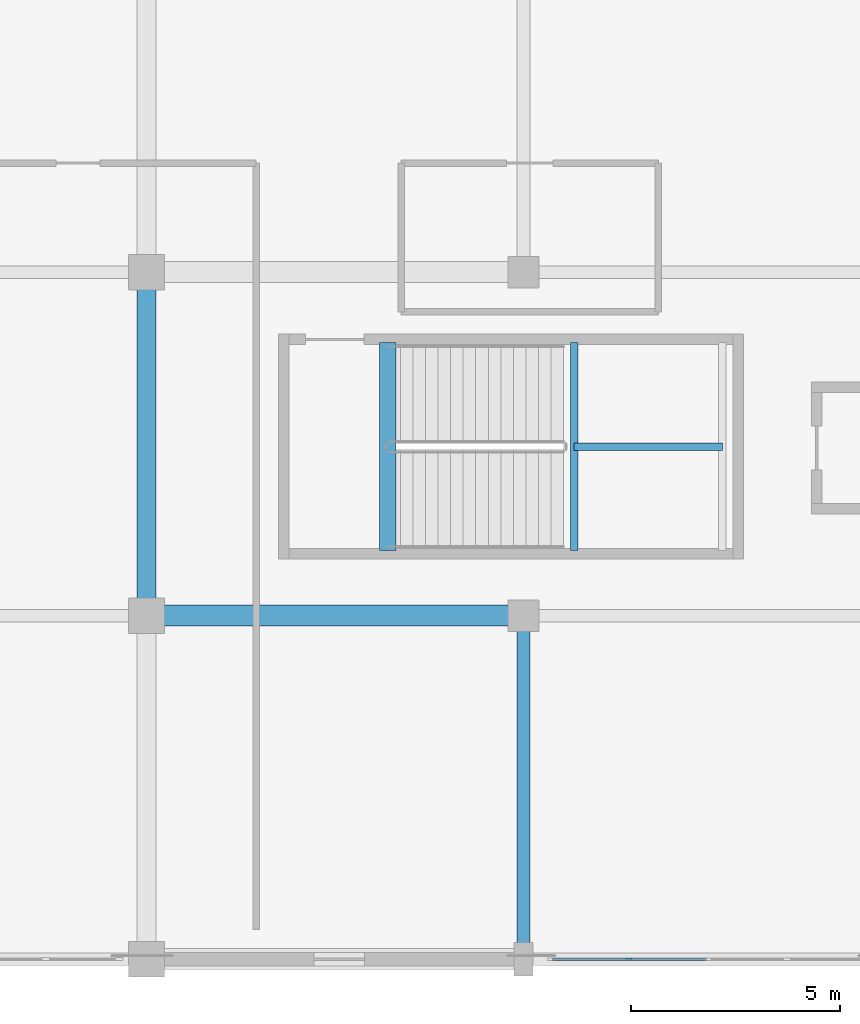
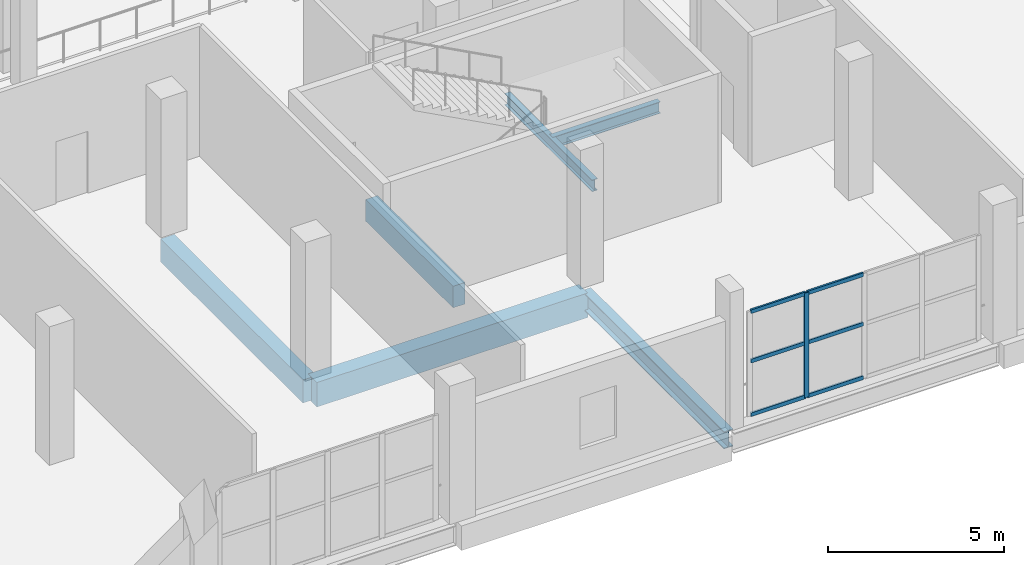
# One storey, part 16 of 129: 7 members, 6 beams, 1 element without a shape of its own.
"""IFC4 building model written with IfcOpenShell, lengths in metres."""

from ifc_helpers import new_model, si_unit, direction, frame, origin, origin_2d, place, context, subcontext, project, spatial, rectangle, i_section, extrude, material, material_profile, profile_set, type_object, element, aggregate, save


model = new_model("IFC4")

# Units and contexts
model_context = context("Model", 3, precision=1e-05, world=origin(), true_north=direction((0.0, 1.0)))
body_context = subcontext(model_context, "Body", "Model", "MODEL_VIEW")
ifc_project = project(units=[si_unit("LENGTHUNIT", "METRE"), si_unit("AREAUNIT", "SQUARE_METRE"), si_unit("VOLUMEUNIT", "CUBIC_METRE"), si_unit("PLANEANGLEUNIT", "RADIAN"), si_unit("MASSUNIT", "GRAM", prefix="KILO")], contexts=[model_context])

# Site, building, storey
site_placement = place(None, origin())
site = spatial("IfcSite", under=ifc_project, at=site_placement, CompositionType="ELEMENT")
building_placement = place(site_placement, origin())
building = spatial("IfcBuilding", under=site, at=building_placement, Name="Koshinbarg Plaza Stadium", CompositionType="ELEMENT")
storey_placement = place(building_placement, frame((0.0, 0.0, 5.39990234375)))
storey = spatial("IfcBuildingStorey", under=building, at=storey_placement, Name="L01", CompositionType="ELEMENT", Elevation=5.39990234375)

# Beams
ifc_material_1 = material(Name="Concrete C40/50", Category="concrete")
ifc_material_profile_1 = material_profile(ifc_material_1, rectangle(XDim=0.39990234375, YDim=0.75, at=origin_2d()), Name="RC 400x750")
ifc_profile_set_1 = profile_set([ifc_material_profile_1], Name="Concrete C40/50")
beam_type_1 = type_object("IfcBeamType", Name="BM-RCG-03", PredefinedType="USERDEFINED", material=ifc_profile_set_1)
beam_1_placement = place(storey_placement, frame((60.360107421875, 9.75, -0.375), z_axis=(0.0, 1.0, 0.0), x_axis=(-1.0, 0.0, 0.0)))
element("IfcBeam", 1, at=beam_1_placement, inside=storey, type_object=beam_type_1, Name="L01 stair landing header beam C13", ObjectType="GIRDER", PredefinedType="USERDEFINED", context=body_context, shape_type="SweptSolid", body=[
    extrude(rectangle(XDim=0.39990234375, YDim=0.75, at=origin_2d()), origin(), (0.0, 0.0, 1.0), 4.969970703125),
])
ifc_material_profile_2 = material_profile(ifc_material_1, rectangle(XDim=0.449951171875, YDim=0.800048828125, at=origin_2d()), Name="RC 450x800")
ifc_profile_set_2 = profile_set([ifc_material_profile_2], Name="Concrete C40/50")
beam_type_2 = type_object("IfcBeamType", Name="BM-RCG-04", PredefinedType="USERDEFINED", material=ifc_profile_set_2)
beam_2_placement = place(storey_placement, frame((54.60009765625, 8.260009765625, -0.719970703125), z_axis=(0.0, 1.0, 0.0), x_axis=(-1.0, 0.0, 0.0)))
element("IfcBeam", 2, at=beam_2_placement, inside=storey, type_object=beam_type_2, Name="L01 Y girder 8/B-C", ObjectType="GIRDER", PredefinedType="USERDEFINED", context=body_context, shape_type="SweptSolid", body=[
    extrude(rectangle(XDim=0.449951171875, YDim=0.800048828125, at=origin_2d()), origin(), (0.0, 0.0, 1.0), 8.080078125),
])
ifc_material_profile_3 = material_profile(ifc_material_1, rectangle(XDim=0.5, YDim=0.85009765625, at=origin_2d()), Name="RC 500x850")
ifc_profile_set_3 = profile_set([ifc_material_profile_3], Name="Concrete C40/50")
beam_type_3 = type_object("IfcBeamType", Name="BM-RCG-05", PredefinedType="USERDEFINED", material=ifc_profile_set_3)
beam_3_placement = place(storey_placement, frame((54.659912109375, 8.199951171875, -0.744873046875), z_axis=(1.0, 0.0, 0.0), x_axis=(0.0, 1.0, 0.0)))
element("IfcBeam", 3, at=beam_3_placement, inside=storey, type_object=beam_type_3, Name="L01 X girder B/8-9", ObjectType="GIRDER", PredefinedType="USERDEFINED", context=body_context, shape_type="SweptSolid", body=[
    extrude(rectangle(XDim=0.5, YDim=0.85009765625, at=origin_2d()), origin(), (0.0, 0.0, 1.0), 8.880126953125),
])
ifc_material_2 = material(Name="Steel S355", Category="steel")
ifc_material_profile_4 = material_profile(ifc_material_2, i_section(OverallWidth=0.179931640625, OverallDepth=0.39990234375, WebThickness=0.008544921875, FlangeThickness=0.013427734375, at=origin_2d()), Name="IPE 400")
ifc_profile_set_4 = profile_set([ifc_material_profile_4], Name="Steel S355")
beam_type_4 = type_object("IfcBeamType", Name="BM-SBM-01", PredefinedType="BEAM", material=ifc_profile_set_4)
beam_4_placement = place(storey_placement, frame((64.81005859375, 9.75, 1.880126953125), z_axis=(0.0, 1.0, 0.0), x_axis=(-1.0, 0.0, 0.0)))
element("IfcBeam", 4, at=beam_4_placement, inside=storey, type_object=beam_type_4, Name="L01 Protected Exit Stair C13 landing trimmer beam 1", PredefinedType="BEAM", context=body_context, shape_type="SweptSolid", body=[
    extrude(i_section(OverallWidth=0.179931640625, OverallDepth=0.39990234375, WebThickness=0.008544921875, FlangeThickness=0.013427734375, at=origin_2d()), origin(), (0.0, 0.0, 1.0), 4.969970703125),
])
beam_5_placement = place(storey_placement, frame((64.81005859375, 12.235107421875, 1.880126953125), z_axis=(1.0, 0.0, 0.0), x_axis=(0.0, 1.0, 0.0)))
element("IfcBeam", 5, at=beam_5_placement, inside=storey, type_object=beam_type_4, Name="L01 Protected Exit Stair C13 landing trimmer beam 3", PredefinedType="BEAM", context=body_context, shape_type="SweptSolid", body=[
    extrude(i_section(OverallWidth=0.179931640625, OverallDepth=0.39990234375, WebThickness=0.008544921875, FlangeThickness=0.013427734375, at=origin_2d()), origin(), (0.0, 0.0, 1.0), 3.5400390625),
])
ifc_material_profile_5 = material_profile(ifc_material_2, i_section(OverallWidth=0.300048828125, OverallDepth=0.60009765625, WebThickness=0.015380859375, FlangeThickness=0.030029296875, at=origin_2d()), Name="HEB 600")
ifc_profile_set_5 = profile_set([ifc_material_profile_5], Name="Steel S355")
beam_type_5 = type_object("IfcBeamType", Name="BM-SGIR-02", PredefinedType="USERDEFINED", material=ifc_profile_set_5)
beam_6_placement = place(storey_placement, frame((63.60009765625, 0.06005859375, -0.619873046875), z_axis=(0.0, 1.0, 0.0), x_axis=(-1.0, 0.0, 0.0)))
element("IfcBeam", 6, at=beam_6_placement, inside=storey, type_object=beam_type_5, Name="L01 Y girder 9/A-B", ObjectType="GIRDER", PredefinedType="USERDEFINED", context=body_context, shape_type="SweptSolid", body=[
    extrude(i_section(OverallWidth=0.300048828125, OverallDepth=0.60009765625, WebThickness=0.015380859375, FlangeThickness=0.030029296875, at=origin_2d()), origin(), (0.0, 0.0, 1.0), 8.079833984375),
])

# Curtain wall, members
ifc_material_3 = material(Name="Thermally broken anodised aluminium and low-E double glazing", Category="aluminium")
curtain_wall_type = type_object("IfcCurtainWallType", Name="CW-SYS-02", PredefinedType="NOTDEFINED", material=ifc_material_3)
curtain_wall_placement = place(storey_placement, origin())
curtain_wall = element("IfcCurtainWall", 7, at=curtain_wall_placement, inside=storey, type_object=curtain_wall_type, Name="L01 unitised curtain wall CW-L01-033", PredefinedType="NOTDEFINED")
ifc_material_4 = material(Name="Anodised aluminium mullion", Category="aluminium")
ifc_material_profile_6 = material_profile(ifc_material_4, rectangle(XDim=0.06005859375, YDim=0.159912109375, at=origin_2d()), Name="ALU 60x160")
ifc_profile_set_6 = profile_set([ifc_material_profile_6], Name="Anodised aluminium mullion")
member_type_1 = type_object("IfcMemberType", Name="CW-MUL-02", PredefinedType="MULLION", material=ifc_profile_set_6)
member_1_placement = place(storey_placement, frame((66.110107421875, 0.0, 0.0), z_axis=(0.0, 0.0, 1.0), x_axis=(0.0, -1.0, 0.0)))
member_1 = element("IfcMember", 8, at=member_1_placement, type_object=member_type_1, Name="CW02 mullion 4", PredefinedType="MULLION", context=body_context, shape_type="SweptSolid", body=[
    extrude(rectangle(XDim=0.06005859375, YDim=0.159912109375, at=origin_2d()), origin(), (0.0, 0.0, 1.0), 3.630126953125),
])
ifc_material_5 = material(Name="Anodised aluminium transom", Category="aluminium")
ifc_material_profile_7 = material_profile(ifc_material_5, rectangle(XDim=0.06005859375, YDim=0.1298828125, at=origin_2d()), Name="ALU 60x130")
ifc_profile_set_7 = profile_set([ifc_material_profile_7], Name="Anodised aluminium transom")
member_type_2 = type_object("IfcMemberType", Name="CW-TRN-02", PredefinedType="USERDEFINED", material=ifc_profile_set_7)
member_2_placement = place(storey_placement, frame((67.969970703125, 0.0, 0.030029296875), z_axis=(-1.0, 0.0, 0.0), x_axis=(0.0, -1.0, 0.0)))
member_2 = element("IfcMember", 9, at=member_2_placement, type_object=member_type_2, Name="CW02 transom 3.1", ObjectType="TRANSOM", PredefinedType="USERDEFINED", context=body_context, shape_type="SweptSolid", body=[
    extrude(rectangle(XDim=0.06005859375, YDim=0.1298828125, at=origin_2d()), origin(), (0.0, 0.0, 1.0), 1.830078125),
])
member_3_placement = place(storey_placement, frame((67.969970703125, 0.0, 1.8876953125), z_axis=(-1.0, 0.0, 0.0), x_axis=(0.0, -1.0, 0.0)))
member_3 = element("IfcMember", 10, at=member_3_placement, type_object=member_type_2, Name="CW02 transom 3.2", ObjectType="TRANSOM", PredefinedType="USERDEFINED", context=body_context, shape_type="SweptSolid", body=[
    extrude(rectangle(XDim=0.06005859375, YDim=0.1298828125, at=origin_2d()), origin(), (0.0, 0.0, 1.0), 1.830078125),
])
member_4_placement = place(storey_placement, frame((67.969970703125, 0.0, 3.60009765625), z_axis=(-1.0, 0.0, 0.0), x_axis=(0.0, -1.0, 0.0)))
member_4 = element("IfcMember", 11, at=member_4_placement, type_object=member_type_2, Name="CW02 transom 3.3", ObjectType="TRANSOM", PredefinedType="USERDEFINED", context=body_context, shape_type="SweptSolid", body=[
    extrude(rectangle(XDim=0.06005859375, YDim=0.1298828125, at=origin_2d()), origin(), (0.0, 0.0, 1.0), 1.830078125),
])
member_5_placement = place(storey_placement, frame((66.080078125, 0.0, 0.030029296875), z_axis=(-1.0, 0.0, 0.0), x_axis=(0.0, -1.0, 0.0)))
member_5 = element("IfcMember", 12, at=member_5_placement, type_object=member_type_2, Name="CW02 transom 4.1", ObjectType="TRANSOM", PredefinedType="USERDEFINED", context=body_context, shape_type="SweptSolid", body=[
    extrude(rectangle(XDim=0.06005859375, YDim=0.1298828125, at=origin_2d()), origin(), (0.0, 0.0, 1.0), 1.800048828125),
])
member_6_placement = place(storey_placement, frame((66.080078125, 0.0, 1.8876953125), z_axis=(-1.0, 0.0, 0.0), x_axis=(0.0, -1.0, 0.0)))
member_6 = element("IfcMember", 13, at=member_6_placement, type_object=member_type_2, Name="CW02 transom 4.2", ObjectType="TRANSOM", PredefinedType="USERDEFINED", context=body_context, shape_type="SweptSolid", body=[
    extrude(rectangle(XDim=0.06005859375, YDim=0.1298828125, at=origin_2d()), origin(), (0.0, 0.0, 1.0), 1.800048828125),
])
member_7_placement = place(storey_placement, frame((66.080078125, 0.0, 3.60009765625), z_axis=(-1.0, 0.0, 0.0), x_axis=(0.0, -1.0, 0.0)))
member_7 = element("IfcMember", 14, at=member_7_placement, type_object=member_type_2, Name="CW02 transom 4.3", ObjectType="TRANSOM", PredefinedType="USERDEFINED", context=body_context, shape_type="SweptSolid", body=[
    extrude(rectangle(XDim=0.06005859375, YDim=0.1298828125, at=origin_2d()), origin(), (0.0, 0.0, 1.0), 1.800048828125),
])
aggregate(curtain_wall, [member_1, member_2, member_3, member_4, member_5, member_6, member_7])

save(model, "model.ifc")
